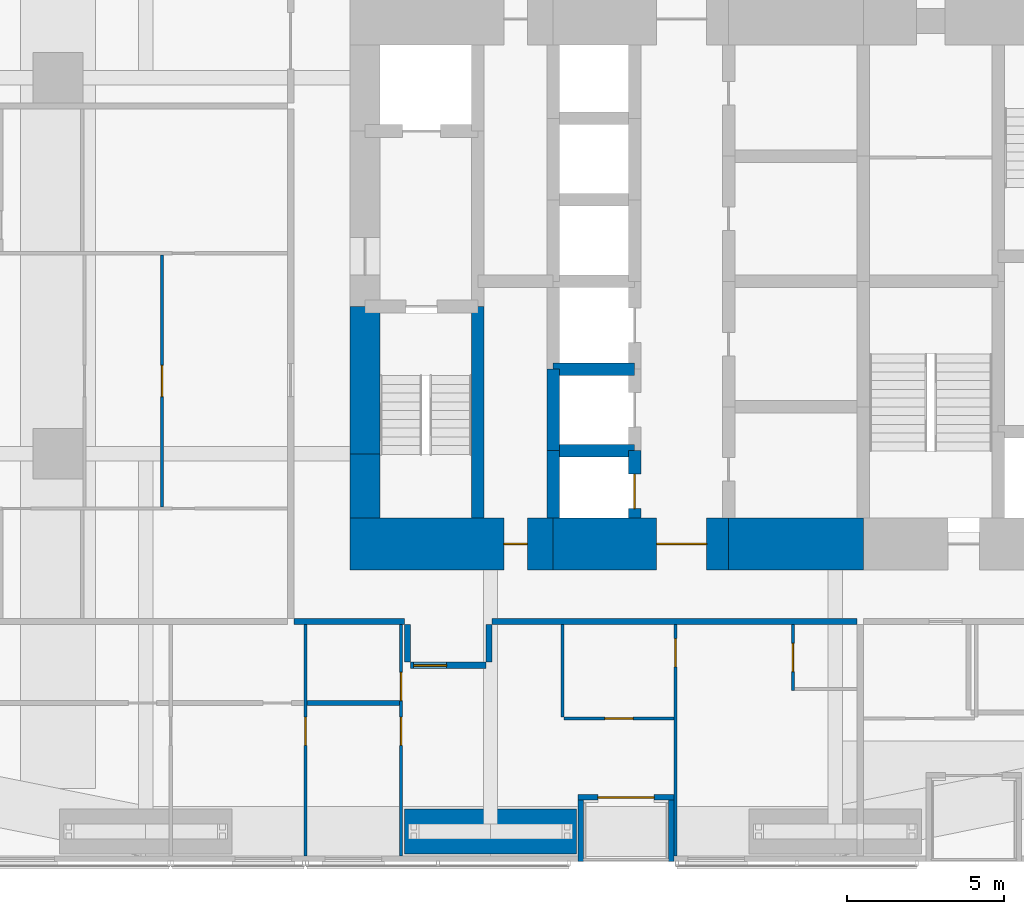
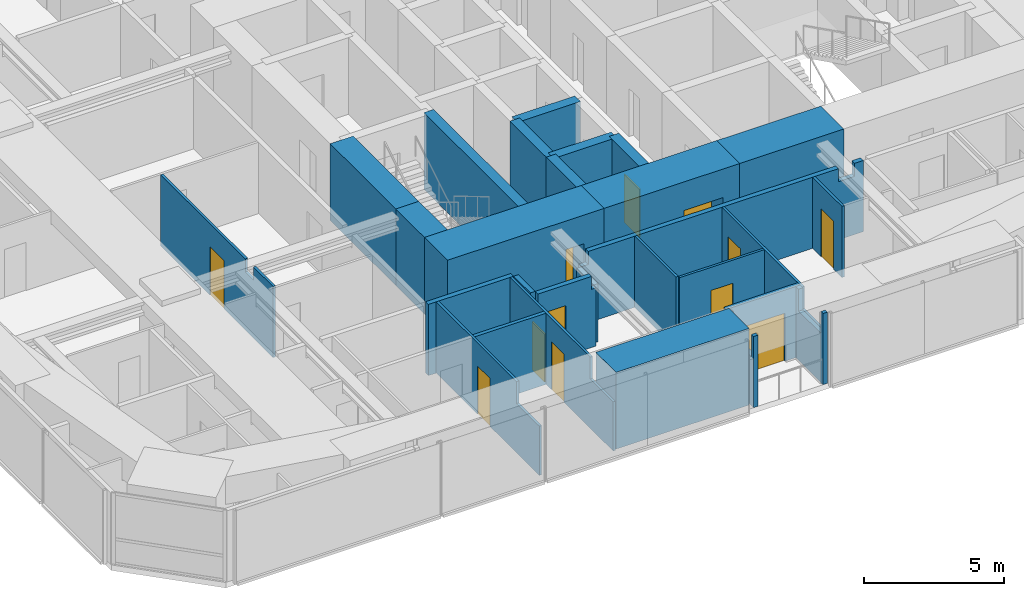
# One storey, part 18 of 24: 28 walls, 12 doors, 12 openings.
"""IFC4 building model written with IfcOpenShell, lengths in metres."""

from ifc_helpers import new_model, si_unit, direction, frame, frame_2d, origin, place, context, subcontext, project, spatial, polyline, rectangle, outline, extrude, material, layer, layer_set, constituent, constituent_set, type_object, element, fill, save


model = new_model("IFC4")

# Units and contexts
model_context = context("Model", 3, precision=1e-05, world=origin(), true_north=direction((0.0, 1.0)))
body_context = subcontext(model_context, "Body", "Model", "MODEL_VIEW")
ifc_project = project(units=[si_unit("LENGTHUNIT", "METRE"), si_unit("AREAUNIT", "SQUARE_METRE"), si_unit("VOLUMEUNIT", "CUBIC_METRE"), si_unit("PLANEANGLEUNIT", "RADIAN"), si_unit("MASSUNIT", "GRAM", prefix="KILO")], contexts=[model_context])

# Site, building, storey
site_placement = place(None, origin())
site = spatial("IfcSite", under=ifc_project, at=site_placement, CompositionType="ELEMENT")
building_placement = place(site_placement, origin())
building = spatial("IfcBuilding", under=site, at=building_placement, Name="Jalousie Tower", CompositionType="ELEMENT")
storey_placement = place(building_placement, frame((0.0, 0.0, 54.5)))
storey = spatial("IfcBuildingStorey", under=building, at=storey_placement, Name="L14", CompositionType="ELEMENT", Elevation=54.5)

# Wall
ifc_material_1 = material(Name="Concrete block ASTM C90", Category="concrete")
ifc_constituent_1 = constituent(ifc_material_1, Name="Body")
ifc_material_2 = material(Name="Render")
ifc_constituent_2 = constituent(ifc_material_2, Name="Finish")
ifc_constituent_set_1 = constituent_set(constituents=[ifc_constituent_1, ifc_constituent_2])
wall_type_1 = type_object("IfcWallType", Name="BATHROOM WALL 150", PredefinedType="PLUMBINGWALL", material=ifc_constituent_set_1)
wall_1_placement = place(storey_placement, frame((18.14990234375, 5.050048828125, 0.0), z_axis=(0.0, 0.0, 1.0), x_axis=(1.0, 0.0, 0.0)))
element("IfcWall", 1, at=wall_1_placement, inside=storey, type_object=wall_type_1, Name="Bathroom Wall 150 L14", PredefinedType="PLUMBINGWALL", context=body_context, shape_type="SweptSolid", body=[
    extrude(rectangle(XDim=2.9501953125, YDim=0.14990234375, at=frame_2d((1.47509765625, 0.0))), origin(), (0.0, 0.0, 1.0), 3.110107421875),
])

# Wall, opening, door
ifc_material_3 = material(Name="Concrete f'c 120 MPa", Category="concrete")
ifc_layer_1 = layer(ifc_material_3, 1.64990234375)
ifc_layer_set_1 = layer_set([ifc_layer_1], Name="Concrete f'c 120 MPa")
wall_type_2 = type_object("IfcWallType", Name="CORE WALL 1650", PredefinedType="SHEAR", material=ifc_layer_set_1)
wall_2_placement = place(storey_placement, frame((19.52490234375, 10.125, 0.0), z_axis=(0.0, 0.0, 1.0), x_axis=(1.0, 0.0, 0.0)))
wall_2 = element("IfcWall", 2, at=wall_2_placement, inside=storey, type_object=wall_type_2, Name="Core wall SA L14", PredefinedType="SHEAR", context=body_context, shape_type="SweptSolid", body=[
    extrude(rectangle(XDim=6.47509765625, YDim=1.64990234375, at=frame_2d((3.237548828125, 0.0))), origin(), (0.0, 0.0, 1.0), 3.35009765625),
])
opening_1_placement = place(wall_2_placement, frame((4.89990234375, 0.0, 0.0)))
opening_1 = element("IfcOpeningElement", 3, at=opening_1_placement, cuts=wall_2, Name="Opening D16", PredefinedType="OPENING", context=body_context, shape_type="SweptSolid", body=[
    extrude(rectangle(XDim=0.75, YDim=2.10009765625, at=frame_2d((0.375, 1.050048828125))), frame((0.0, 0.8349609375, 0.0), z_axis=(0.0, -1.0, 0.0), x_axis=(1.0, 0.0, 0.0)), (0.0, 0.0, 1.0), 1.669921875),
])
ifc_material_4 = material(Name="Steel fire door", Category="steel")
door_type_1 = type_object("IfcDoorType", Name="RISER DOOR 750", OperationType="SINGLE_SWING_LEFT", PredefinedType="DOOR", material=ifc_material_4)
door_1_placement = place(opening_1_placement, origin())
door_1 = element("IfcDoor", 4, at=door_1_placement, inside=storey, type_object=door_type_1, Name="South riser door", OperationType="SINGLE_SWING_LEFT", OverallHeight=2.10009765625, OverallWidth=0.75, PredefinedType="DOOR", context=body_context, shape_type="SweptSolid", body=[
    extrude(rectangle(XDim=0.75, YDim=2.10009765625, at=frame_2d((0.375, 1.050048828125))), frame((0.0, 0.02490234375, 0.0), z_axis=(0.0, -1.0, 0.0), x_axis=(1.0, 0.0, 0.0)), (0.0, 0.0, 1.0), 0.050048828125),
])
fill(opening_1, door_1)

wall_3_placement = place(storey_placement, frame((26.0, 10.125, 0.0), z_axis=(0.0, 0.0, 1.0), x_axis=(1.0, 0.0, 0.0)))
wall_3 = element("IfcWall", 5, at=wall_3_placement, inside=storey, type_object=wall_type_2, Name="Core wall SB L14", PredefinedType="SHEAR", context=body_context, shape_type="SweptSolid", body=[
    extrude(rectangle(XDim=5.60009765625, YDim=1.64990234375, at=frame_2d((2.800048828125, 0.0))), origin(), (0.0, 0.0, 1.0), 3.35009765625),
])
opening_2_placement = place(wall_3_placement, frame((3.300048828125, 0.0, 0.0)))
opening_2 = element("IfcOpeningElement", 6, at=opening_2_placement, cuts=wall_3, Name="Opening D15", PredefinedType="OPENING", context=body_context, shape_type="SweptSolid", body=[
    extrude(rectangle(XDim=1.60009765625, YDim=2.10009765625, at=frame_2d((0.800048828125, 1.050048828125))), frame((0.0, 0.8349609375, 0.0), z_axis=(0.0, -1.0, 0.0), x_axis=(1.0, 0.0, 0.0)), (0.0, 0.0, 1.0), 1.669921875),
])
ifc_material_5 = material(Name="Steel fire door", Category="steel")
door_type_2 = type_object("IfcDoorType", Name="LIFT LOBBY DOOR 1600", OperationType="DOUBLE_DOOR_SINGLE_SWING", PredefinedType="DOOR", material=ifc_material_5)
door_2_placement = place(opening_2_placement, origin())
door_2 = element("IfcDoor", 7, at=door_2_placement, inside=storey, type_object=door_type_2, Name="Lift lobby south door", OperationType="DOUBLE_DOOR_SINGLE_SWING", OverallHeight=2.10009765625, OverallWidth=1.60009765625, PredefinedType="DOOR", context=body_context, shape_type="SweptSolid", body=[
    extrude(rectangle(XDim=1.60009765625, YDim=2.10009765625, at=frame_2d((0.800048828125, 1.050048828125))), frame((0.0, 0.02490234375, 0.0), z_axis=(0.0, -1.0, 0.0), x_axis=(1.0, 0.0, 0.0)), (0.0, 0.0, 1.0), 0.050048828125),
])
fill(opening_2, door_2)

# Walls
wall_4_placement = place(storey_placement, frame((31.60009765625, 10.125, 0.0), z_axis=(0.0, 0.0, 1.0), x_axis=(1.0, 0.0, 0.0)))
element("IfcWall", 8, at=wall_4_placement, inside=storey, type_object=wall_type_2, Name="Core wall SC L14", PredefinedType="SHEAR", context=body_context, shape_type="SweptSolid", body=[
    extrude(rectangle(XDim=4.2998046875, YDim=1.64990234375, at=frame_2d((2.14990234375, 0.0))), origin(), (0.0, 0.0, 1.0), 3.35009765625),
])
ifc_material_6 = material(Name="Concrete f'c 120 MPa", Category="concrete")
ifc_layer_2 = layer(ifc_material_6, 0.39990234375)
ifc_layer_set_2 = layer_set([ifc_layer_2], Name="Concrete f'c 120 MPa")
wall_type_3 = type_object("IfcWallType", Name="CORE WALL 400", PredefinedType="SHEAR", material=ifc_layer_set_2)
wall_5_placement = place(storey_placement, frame((23.60009765625, 10.949951171875, 0.0), z_axis=(0.0, 0.0, 1.0), x_axis=(0.0, 1.0, 0.0)))
element("IfcWall", 9, at=wall_5_placement, inside=storey, type_object=wall_type_3, Name="Core wall X23.6A L14", PredefinedType="SHEAR", context=body_context, shape_type="SweptSolid", body=[
    extrude(rectangle(XDim=6.75, YDim=0.39990234375, at=frame_2d((3.375, 0.0))), origin(), (0.0, 0.0, 1.0), 3.35009765625),
])
wall_6_placement = place(storey_placement, frame((26.0, 10.949951171875, 0.0), z_axis=(0.0, 0.0, 1.0), x_axis=(0.0, 1.0, 0.0)))
element("IfcWall", 10, at=wall_6_placement, inside=storey, type_object=wall_type_3, Name="Core wall X26A L14", PredefinedType="SHEAR", context=body_context, shape_type="SweptSolid", body=[
    extrude(rectangle(XDim=2.150146484375, YDim=0.39990234375, at=frame_2d((1.0751953125, 0.0))), origin(), (0.0, 0.0, 1.0), 3.35009765625),
])
wall_7_placement = place(storey_placement, frame((26.0, 13.10009765625, 0.0), z_axis=(0.0, 0.0, 1.0), x_axis=(0.0, 1.0, 0.0)))
element("IfcWall", 11, at=wall_7_placement, inside=storey, type_object=wall_type_3, Name="Core wall X26B L14", PredefinedType="SHEAR", context=body_context, shape_type="SweptSolid", body=[
    extrude(rectangle(XDim=2.599853515625, YDim=0.39990234375, at=frame_2d((1.2998046875, 0.0))), origin(), (0.0, 0.0, 1.0), 3.35009765625),
])

# Wall, opening, door
wall_8_placement = place(storey_placement, frame((28.60009765625, 10.949951171875, 0.0), z_axis=(0.0, 0.0, 1.0), x_axis=(0.0, 1.0, 0.0)))
wall_8 = element("IfcWall", 12, at=wall_8_placement, inside=storey, type_object=wall_type_3, Name="Core wall X28.6A L14", PredefinedType="SHEAR", context=body_context, shape_type="SweptSolid", body=[
    extrude(rectangle(XDim=2.150146484375, YDim=0.39990234375, at=frame_2d((1.0751953125, 0.0))), origin(), (0.0, 0.0, 1.0), 3.35009765625),
])
opening_3_placement = place(wall_8_placement, frame((0.300048828125, 0.0, 0.0)))
opening_3 = element("IfcOpeningElement", 13, at=opening_3_placement, cuts=wall_8, Name="Opening LD1", PredefinedType="OPENING", context=body_context, shape_type="SweptSolid", body=[
    extrude(rectangle(XDim=1.10009765625, YDim=2.10009765625, at=frame_2d((0.550048828125, 1.050048828125))), frame((0.0, 0.2099609375, 0.0), z_axis=(0.0, -1.0, 0.0), x_axis=(1.0, 0.0, 0.0)), (0.0, 0.0, 1.0), 0.419921875),
])
ifc_material_7 = material(Name="Steel lift landing door", Category="steel")
door_type_3 = type_object("IfcDoorType", Name="LIFT LANDING DOOR 1100", OperationType="SLIDING_TO_LEFT", PredefinedType="DOOR", material=ifc_material_7)
door_3_placement = place(opening_3_placement, origin())
door_3 = element("IfcDoor", 14, at=door_3_placement, inside=storey, type_object=door_type_3, Name="Lift P1 landing door", OperationType="SLIDING_TO_LEFT", OverallHeight=2.10009765625, OverallWidth=1.10009765625, PredefinedType="DOOR", context=body_context, shape_type="SweptSolid", body=[
    extrude(rectangle(XDim=1.10009765625, YDim=2.10009765625, at=frame_2d((0.550048828125, 1.050048828125))), frame((0.0, 0.02490234375, 0.0), z_axis=(0.0, -1.0, 0.0), x_axis=(1.0, 0.0, 0.0)), (0.0, 0.0, 1.0), 0.050048828125),
])
fill(opening_3, door_3)

# Walls
for number, where, z_axis, x_axis, name in (
    (15, (26.0, 13.10009765625, 0.0), (0.0, 0.0, 1.0), (1.0, 0.0, 0.0), "Core wall Y26-13.1 L14"),
    (16, (26.0, 15.699951171875, 0.0), (0.0, 0.0, 1.0), (1.0, 0.0, 0.0), "Core wall Y26-15.7 L14"),
):
    element("IfcWall", number, at=place(storey_placement, frame(where, z_axis=z_axis, x_axis=x_axis)), inside=storey, type_object=wall_type_3, Name=name, PredefinedType="SHEAR", context=body_context, shape_type="SweptSolid", body=[
        extrude(rectangle(XDim=2.60009765625, YDim=0.39990234375, at=frame_2d((1.300048828125, 0.0))), origin(), (0.0, 0.0, 1.0), 3.35009765625),
    ])
ifc_material_8 = material(Name="Concrete f'c 120 MPa", Category="concrete")
ifc_layer_3 = layer(ifc_material_8, 0.949951171875)
ifc_layer_set_3 = layer_set([ifc_layer_3], Name="Concrete f'c 120 MPa")
wall_type_4 = type_object("IfcWallType", Name="CORE WALL 950", PredefinedType="SHEAR", material=ifc_layer_set_3)
wall_9_placement = place(storey_placement, frame((20.0, 17.699951171875, 0.0), z_axis=(0.0, 0.0, 1.0), x_axis=(0.0, -1.0, 0.0)))
element("IfcWall", 17, at=wall_9_placement, inside=storey, type_object=wall_type_4, Name="Core wall WC L14", PredefinedType="SHEAR", context=body_context, shape_type="SweptSolid", body=[
    extrude(rectangle(XDim=4.699951171875, YDim=0.949951171875, at=frame_2d((2.35009765625, 0.0))), origin(), (0.0, 0.0, 1.0), 3.35009765625),
])
wall_10_placement = place(storey_placement, frame((20.0, 13.0, 0.0), z_axis=(0.0, 0.0, 1.0), x_axis=(0.0, -1.0, 0.0)))
element("IfcWall", 18, at=wall_10_placement, inside=storey, type_object=wall_type_4, Name="Core wall WD L14", PredefinedType="SHEAR", context=body_context, shape_type="SweptSolid", body=[
    extrude(rectangle(XDim=2.050048828125, YDim=0.949951171875, at=frame_2d((1.02490234375, 0.0))), origin(), (0.0, 0.0, 1.0), 3.35009765625),
])
ifc_material_9 = material(Name="Concrete block ASTM C90", Category="concrete")
ifc_constituent_3 = constituent(ifc_material_9, Name="Body")
ifc_material_10 = material(Name="Render")
ifc_constituent_4 = constituent(ifc_material_10, Name="Finish")
ifc_constituent_set_2 = constituent_set(constituents=[ifc_constituent_3, ifc_constituent_4])
wall_type_5 = type_object("IfcWallType", Name="CORRIDOR WALL 200", PredefinedType="PARTITIONING", material=ifc_constituent_set_2)
wall_11_placement = place(storey_placement, frame((17.72509765625, 7.64990234375, 0.0), z_axis=(0.0, 0.0, 1.0), x_axis=(1.0, 0.0, 0.0)))
element("IfcWall", 19, at=wall_11_placement, inside=storey, type_object=wall_type_5, Name="Corridor Wall 200 L14", PredefinedType="PARTITIONING", context=body_context, shape_type="SweptSolid", body=[
    extrude(rectangle(XDim=3.52490234375, YDim=0.199951171875, at=frame_2d((1.762451171875, 0.0))), origin(), (0.0, 0.0, 1.0), 3.110107421875),
])
wall_12_placement = place(storey_placement, frame((24.050048828125, 7.64990234375, 0.0), z_axis=(0.0, 0.0, 1.0), x_axis=(1.0, 0.0, 0.0)))
element("IfcWall", 20, at=wall_12_placement, inside=storey, type_object=wall_type_5, Name="Corridor Wall 200 L14", PredefinedType="PARTITIONING", context=body_context, shape_type="SweptSolid", body=[
    extrude(outline(polyline([(0.0, 0.0), (11.64990234375, 0.0), (11.64990234375, 3.110107421875), (11.287353515625, 3.110107421875), (11.287353515625, 2.541015625), (10.612548828125, 2.541015625), (10.612548828125, 3.110107421875), (0.287353515625, 3.110107421875), (0.287353515625, 2.541015625), (0.0, 2.541015625), (0.0, 3.110107421875), (0.0, 0.0)])), frame((0.0, 0.10009765625, 0.0), z_axis=(0.0, -1.0, 0.0), x_axis=(1.0, 0.0, 0.0)), (0.0, 0.0, 1.0), 0.199951171875),
])

# Wall, opening, door
wall_13_placement = place(storey_placement, frame((21.449951171875, 6.25, 0.0), z_axis=(0.0, 0.0, 1.0), x_axis=(1.0, 0.0, 0.0)))
wall_13 = element("IfcWall", 21, at=wall_13_placement, inside=storey, type_object=wall_type_5, Name="Corridor Wall 200 L14", PredefinedType="PARTITIONING", context=body_context, shape_type="SweptSolid", body=[
    extrude(outline(polyline([(0.0, 0.0), (2.400146484375, 0.0), (2.39990234375, 3.110107421875), (2.39990234375, 2.541015625), (2.212646484375, 2.541015625), (2.212646484375, 3.110107421875), (0.0, 3.110107421875), (0.0, 0.0)])), frame((0.0, 0.10009765625, 0.0), z_axis=(0.0, -1.0, 0.0), x_axis=(1.0, 0.0, 0.0)), (0.0, 0.0, 1.0), 0.199951171875),
])
opening_4_placement = place(wall_13_placement, frame((0.10009765625, 0.0, 0.0)))
opening_4 = element("IfcOpeningElement", 22, at=opening_4_placement, cuts=wall_13, Name="Opening D1", PredefinedType="OPENING", context=body_context, shape_type="SweptSolid", body=[
    extrude(rectangle(XDim=1.050048828125, YDim=2.199951171875, at=frame_2d((0.52490234375, 1.10009765625))), frame((0.0, 0.10986328125, 0.0), z_axis=(0.0, -1.0, 0.0), x_axis=(1.0, 0.0, 0.0)), (0.0, 0.0, 1.0), 0.219970703125),
])
ifc_material_11 = material(Name="Timber fire door", Category="wood")
door_type_4 = type_object("IfcDoorType", Name="APARTMENT ENTRANCE DOOR 1050", OperationType="SINGLE_SWING_LEFT", PredefinedType="DOOR", material=ifc_material_11)
door_4_placement = place(opening_4_placement, frame((1.050048828125, 0.0, 0.0), z_axis=(0.0, 0.0, 1.0), x_axis=(-1.0, 0.0, 0.0)))
door_4 = element("IfcDoor", 23, at=door_4_placement, inside=storey, type_object=door_type_4, Name="Apartment 1401 entrance", OperationType="SINGLE_SWING_RIGHT", OverallHeight=2.199951171875, OverallWidth=1.050048828125, PredefinedType="DOOR", context=body_context, shape_type="SweptSolid", body=[
    extrude(rectangle(XDim=1.050048828125, YDim=2.199951171875, at=frame_2d((0.52490234375, 1.10009765625))), frame((0.0, 0.02490234375, 0.0), z_axis=(0.0, -1.0, 0.0), x_axis=(1.0, 0.0, 0.0)), (0.0, 0.0, 1.0), 0.050048828125),
])
fill(opening_4, door_4)

# Walls
wall_14_placement = place(storey_placement, frame((21.35009765625, 7.550048828125, 0.0), z_axis=(0.0, 0.0, 1.0), x_axis=(0.0, -1.0, 0.0)))
element("IfcWall", 24, at=wall_14_placement, inside=storey, type_object=wall_type_5, Name="Corridor Wall 200 L14", PredefinedType="PARTITIONING", context=body_context, shape_type="SweptSolid", body=[
    extrude(rectangle(XDim=1.199951171875, YDim=0.199951171875, at=frame_2d((0.60009765625, 0.0))), origin(), (0.0, 0.0, 1.0), 3.110107421875),
])
wall_15_placement = place(storey_placement, frame((23.949951171875, 7.550048828125, 0.0), z_axis=(0.0, 0.0, 1.0), x_axis=(0.0, -1.0, 0.0)))
element("IfcWall", 25, at=wall_15_placement, inside=storey, type_object=wall_type_5, Name="Corridor Wall 200 L14", PredefinedType="PARTITIONING", context=body_context, shape_type="SweptSolid", body=[
    extrude(outline(polyline([(0.0, 0.0), (1.199951171875, 0.0), (1.199951171875, 3.110107421875), (1.199951171875, 2.541015625), (0.0, 2.541015625), (0.0, 3.110107421875), (0.0, 0.0)])), frame((0.0, 0.10009765625, 0.0), z_axis=(0.0, -1.0, 0.0), x_axis=(1.0, 0.0, 0.0)), (0.0, 0.0, 1.0), 0.199951171875),
])

# Wall, opening, door
ifc_material_12 = material(Name="Concrete f'c 40 MPa", Category="concrete")
ifc_constituent_5 = constituent(ifc_material_12, Name="Body")
ifc_material_13 = material(Name="Render, pastel coral")
ifc_constituent_6 = constituent(ifc_material_13, Name="Finish")
ifc_constituent_set_3 = constituent_set(constituents=[ifc_constituent_5, ifc_constituent_6])
wall_type_6 = type_object("IfcWallType", Name="EXTERNAL WALL 175 CORAL RENDER", PredefinedType="SOLIDWALL", material=ifc_constituent_set_3)
wall_16_placement = place(storey_placement, frame((26.800048828125, 2.03759765625, 0.0), z_axis=(0.0, 0.0, 1.0), x_axis=(1.0, 0.0, 0.0)))
wall_16 = element("IfcWall", 26, at=wall_16_placement, inside=storey, type_object=wall_type_6, Name="External Wall 175 Coral Render L14", PredefinedType="SOLIDWALL", context=body_context, shape_type="SweptSolid", body=[
    extrude(rectangle(XDim=3.050048828125, YDim=0.175048828125, at=frame_2d((1.52490234375, 0.0))), origin(), (0.0, 0.0, 1.0), 3.110107421875),
])
opening_5_placement = place(wall_16_placement, frame((0.625, 0.0, 0.0)))
opening_5 = element("IfcOpeningElement", 27, at=opening_5_placement, cuts=wall_16, Name="Opening D-BAL21", PredefinedType="OPENING", context=body_context, shape_type="SweptSolid", body=[
    extrude(rectangle(XDim=1.800048828125, YDim=2.10009765625, at=frame_2d((0.89990234375, 1.050048828125))), frame((0.0, 0.097412109375, 0.0), z_axis=(0.0, -1.0, 0.0), x_axis=(1.0, 0.0, 0.0)), (0.0, 0.0, 1.0), 0.195068359375),
])
ifc_material_14 = material(Name="Aluminium frame, impact-rated glazing", Category="aluminium")
door_type_5 = type_object("IfcDoorType", Name="BALCONY DOOR 1800x2100", OperationType="SLIDING_TO_LEFT", PredefinedType="DOOR", material=ifc_material_14)
door_5_placement = place(opening_5_placement, origin())
door_5 = element("IfcDoor", 28, at=door_5_placement, inside=storey, type_object=door_type_5, Name="Apartment 1401 living and dining room loggia door", OperationType="SLIDING_TO_LEFT", OverallHeight=2.10009765625, OverallWidth=1.800048828125, PredefinedType="DOOR", context=body_context, shape_type="SweptSolid", body=[
    extrude(rectangle(XDim=1.800048828125, YDim=2.10009765625, at=frame_2d((0.89990234375, 1.050048828125))), frame((0.0, 0.02490234375, 0.0), z_axis=(0.0, -1.0, 0.0), x_axis=(1.0, 0.0, 0.0)), (0.0, 0.0, 1.0), 0.050048828125),
])
fill(opening_5, door_5)

# Walls
for number, where, z_axis, x_axis, name in (
    (29, (26.887451171875, 0.0, 0.0), (0.0, 0.0, 1.0), (0.0, 1.0, 0.0), "External Wall 175 Coral Render L14"),
    (30, (29.762451171875, 0.0, 0.0), (0.0, 0.0, 1.0), (0.0, 1.0, 0.0), "External Wall 175 Coral Render L14"),
):
    element("IfcWall", number, at=place(storey_placement, frame(where, z_axis=z_axis, x_axis=x_axis)), inside=storey, type_object=wall_type_6, Name=name, PredefinedType="SOLIDWALL", context=body_context, shape_type="SweptSolid", body=[
        extrude(outline(polyline([(0.0, 0.0), (1.949951171875, 0.0), (1.949951171875, 3.110107421875), (1.75, 3.110107421875), (1.75, 2.14990234375), (0.14990234375, 2.14990234375), (0.14990234375, 3.110107421875), (0.0, 3.110107421875), (0.0, 0.0)])), frame((0.0, 0.08740234375, 0.0), z_axis=(0.0, -1.0, 0.0), x_axis=(1.0, 0.0, 0.0)), (0.0, 0.0, 1.0), 0.175048828125),
    ])

# Wall, opening, door
ifc_material_15 = material(Name="Gypsum board", Category="gypsum")
ifc_constituent_7 = constituent(ifc_material_15, Name="Body")
ifc_material_16 = material(Name="Light-gauge steel studs ASTM A653 SS Grade 33", Category="steel")
ifc_constituent_8 = constituent(ifc_material_16, Name="Framing")
ifc_constituent_set_4 = constituent_set(constituents=[ifc_constituent_7, ifc_constituent_8])
wall_type_7 = type_object("IfcWallType", Name="PARTITION 100", PredefinedType="PARTITIONING", material=ifc_constituent_set_4)
wall_17_placement = place(storey_placement, frame((18.10009765625, 0.175048828125, 0.0), z_axis=(0.0, 0.0, 1.0), x_axis=(0.0, 1.0, 0.0)))
wall_17 = element("IfcWall", 31, at=wall_17_placement, inside=storey, type_object=wall_type_7, Name="Partition 100 L14", PredefinedType="PARTITIONING", context=body_context, shape_type="SweptSolid", body=[
    extrude(outline(polyline([(0.0, 0.0), (7.375, 0.0), (7.375, 3.110107421875), (1.635009765625, 3.110107421875), (1.635009765625, 2.14990234375), (0.0, 2.14990234375), (0.0, 3.110107421875), (0.0, 0.0)])), frame((0.0, 0.050048828125, 0.0), z_axis=(0.0, -1.0, 0.0), x_axis=(1.0, 0.0, 0.0)), (0.0, 0.0, 1.0), 0.10009765625),
])
opening_6_placement = place(wall_17_placement, frame((3.52490234375, 0.0, 0.0)))
opening_6 = element("IfcOpeningElement", 32, at=opening_6_placement, cuts=wall_17, Name="Opening D2", PredefinedType="OPENING", context=body_context, shape_type="SweptSolid", body=[
    extrude(rectangle(XDim=0.89990234375, YDim=2.10009765625, at=frame_2d((0.449951171875, 1.050048828125))), frame((0.0, 0.06005859375, 0.0), z_axis=(0.0, -1.0, 0.0), x_axis=(1.0, 0.0, 0.0)), (0.0, 0.0, 1.0), 0.1201171875),
])
ifc_material_17 = material(Name="Timber door", Category="wood")
door_type_6 = type_object("IfcDoorType", Name="BEDROOM DOOR 900", OperationType="SINGLE_SWING_LEFT", PredefinedType="DOOR", material=ifc_material_17)
door_6_placement = place(opening_6_placement, origin())
door_6 = element("IfcDoor", 33, at=door_6_placement, inside=storey, type_object=door_type_6, Name="Apartment 1401 bedroom 3 door", OperationType="SINGLE_SWING_RIGHT", OverallHeight=2.10009765625, OverallWidth=0.89990234375, PredefinedType="DOOR", context=body_context, shape_type="SweptSolid", body=[
    extrude(rectangle(XDim=0.89990234375, YDim=2.10009765625, at=frame_2d((0.449951171875, 1.050048828125))), frame((0.0, 0.02490234375, 0.0), z_axis=(0.0, -1.0, 0.0), x_axis=(1.0, 0.0, 0.0)), (0.0, 0.0, 1.0), 0.050048828125),
])
fill(opening_6, door_6)

# Wall, openings, doors
wall_18_placement = place(storey_placement, frame((21.14990234375, 0.175048828125, 0.0), z_axis=(0.0, 0.0, 1.0), x_axis=(0.0, 1.0, 0.0)))
wall_18 = element("IfcWall", 34, at=wall_18_placement, inside=storey, type_object=wall_type_7, Name="Partition 100 L14", PredefinedType="PARTITIONING", context=body_context, shape_type="SweptSolid", body=[
    extrude(outline(polyline([(0.0, 0.0), (7.375, 0.0), (7.375, 3.110107421875), (1.635009765625, 3.110107421875), (1.635009765625, 2.14990234375), (0.0, 2.14990234375), (0.0, 3.110107421875), (0.0, 0.0)])), frame((0.0, 0.050048828125, 0.0), z_axis=(0.0, -1.0, 0.0), x_axis=(1.0, 0.0, 0.0)), (0.0, 0.0, 1.0), 0.10009765625),
])
opening_7_placement = place(wall_18_placement, frame((3.52490234375, 0.0, 0.0)))
opening_7 = element("IfcOpeningElement", 35, at=opening_7_placement, cuts=wall_18, Name="Opening D2", PredefinedType="OPENING", context=body_context, shape_type="SweptSolid", body=[
    extrude(rectangle(XDim=0.89990234375, YDim=2.10009765625, at=frame_2d((0.449951171875, 1.050048828125))), frame((0.0, 0.06005859375, 0.0), z_axis=(0.0, -1.0, 0.0), x_axis=(1.0, 0.0, 0.0)), (0.0, 0.0, 1.0), 0.1201171875),
])
opening_8_placement = place(wall_18_placement, frame((4.949951171875, 0.0, 0.0)))
opening_8 = element("IfcOpeningElement", 36, at=opening_8_placement, cuts=wall_18, Name="Opening D7", PredefinedType="OPENING", context=body_context, shape_type="SweptSolid", body=[
    extrude(rectangle(XDim=0.89990234375, YDim=2.10009765625, at=frame_2d((0.449951171875, 1.050048828125))), frame((0.0, 0.06005859375, 0.0), z_axis=(0.0, -1.0, 0.0), x_axis=(1.0, 0.0, 0.0)), (0.0, 0.0, 1.0), 0.1201171875),
])
door_7_placement = place(opening_7_placement, origin())
door_7 = element("IfcDoor", 37, at=door_7_placement, inside=storey, type_object=door_type_6, Name="Apartment 1401 bedroom 4 door", OperationType="SINGLE_SWING_RIGHT", OverallHeight=2.10009765625, OverallWidth=0.89990234375, PredefinedType="DOOR", context=body_context, shape_type="SweptSolid", body=[
    extrude(rectangle(XDim=0.89990234375, YDim=2.10009765625, at=frame_2d((0.449951171875, 1.050048828125))), frame((0.0, 0.02490234375, 0.0), z_axis=(0.0, -1.0, 0.0), x_axis=(1.0, 0.0, 0.0)), (0.0, 0.0, 1.0), 0.050048828125),
])
fill(opening_7, door_7)
ifc_material_18 = material(Name="Timber door", Category="wood")
door_type_7 = type_object("IfcDoorType", Name="INTERNAL DOOR 900", OperationType="SINGLE_SWING_LEFT", PredefinedType="DOOR", material=ifc_material_18)
door_8_placement = place(opening_8_placement, origin())
door_8 = element("IfcDoor", 38, at=door_8_placement, inside=storey, type_object=door_type_7, Name="Apartment 1401 bathroom door", OperationType="SINGLE_SWING_LEFT", OverallHeight=2.10009765625, OverallWidth=0.89990234375, PredefinedType="DOOR", context=body_context, shape_type="SweptSolid", body=[
    extrude(rectangle(XDim=0.89990234375, YDim=2.10009765625, at=frame_2d((0.449951171875, 1.050048828125))), frame((0.0, 0.02490234375, 0.0), z_axis=(0.0, -1.0, 0.0), x_axis=(1.0, 0.0, 0.0)), (0.0, 0.0, 1.0), 0.050048828125),
])
fill(opening_8, door_8)

# Wall, opening, door
wall_19_placement = place(storey_placement, frame((29.89990234375, 0.175048828125, 0.0), z_axis=(0.0, 0.0, 1.0), x_axis=(0.0, 1.0, 0.0)))
wall_19 = element("IfcWall", 39, at=wall_19_placement, inside=storey, type_object=wall_type_7, Name="Partition 100 L14", PredefinedType="PARTITIONING", context=body_context, shape_type="SweptSolid", body=[
    extrude(outline(polyline([(0.0, 0.0), (7.375, 0.0), (7.375, 3.110107421875), (1.635009765625, 3.110107421875), (1.635009765625, 2.14990234375), (0.0, 2.14990234375), (0.0, 3.110107421875), (0.0, 0.0)])), frame((0.0, 0.050048828125, 0.0), z_axis=(0.0, -1.0, 0.0), x_axis=(1.0, 0.0, 0.0)), (0.0, 0.0, 1.0), 0.10009765625),
])
opening_9_placement = place(wall_19_placement, frame((6.02490234375, 0.0, 0.0)))
opening_9 = element("IfcOpeningElement", 40, at=opening_9_placement, cuts=wall_19, Name="Opening D2", PredefinedType="OPENING", context=body_context, shape_type="SweptSolid", body=[
    extrude(rectangle(XDim=0.89990234375, YDim=2.10009765625, at=frame_2d((0.449951171875, 1.050048828125))), frame((0.0, 0.06005859375, 0.0), z_axis=(0.0, -1.0, 0.0), x_axis=(1.0, 0.0, 0.0)), (0.0, 0.0, 1.0), 0.1201171875),
])
door_9_placement = place(opening_9_placement, frame((0.89990234375, 0.0, 0.0), z_axis=(0.0, 0.0, 1.0), x_axis=(-1.0, 0.0, 0.0)))
door_9 = element("IfcDoor", 41, at=door_9_placement, inside=storey, type_object=door_type_6, Name="Apartment 1401 study door", OperationType="SINGLE_SWING_LEFT", OverallHeight=2.10009765625, OverallWidth=0.89990234375, PredefinedType="DOOR", context=body_context, shape_type="SweptSolid", body=[
    extrude(rectangle(XDim=0.89990234375, YDim=2.10009765625, at=frame_2d((0.449951171875, 1.050048828125))), frame((0.0, 0.02490234375, 0.0), z_axis=(0.0, -1.0, 0.0), x_axis=(1.0, 0.0, 0.0)), (0.0, 0.0, 1.0), 0.050048828125),
])
fill(opening_9, door_9)

wall_20_placement = place(storey_placement, frame((26.35009765625, 4.550048828125, 0.0), z_axis=(0.0, 0.0, 1.0), x_axis=(1.0, 0.0, 0.0)))
wall_20 = element("IfcWall", 42, at=wall_20_placement, inside=storey, type_object=wall_type_7, Name="Partition 100 L14", PredefinedType="PARTITIONING", context=body_context, shape_type="SweptSolid", body=[
    extrude(rectangle(XDim=3.5, YDim=0.10009765625, at=frame_2d((1.75, 0.0))), origin(), (0.0, 0.0, 1.0), 3.110107421875),
])
opening_10_placement = place(wall_20_placement, frame((1.300048828125, 0.0, 0.0)))
opening_10 = element("IfcOpeningElement", 43, at=opening_10_placement, cuts=wall_20, Name="Opening D7", PredefinedType="OPENING", context=body_context, shape_type="SweptSolid", body=[
    extrude(rectangle(XDim=0.89990234375, YDim=2.10009765625, at=frame_2d((0.449951171875, 1.050048828125))), frame((0.0, 0.06005859375, 0.0), z_axis=(0.0, -1.0, 0.0), x_axis=(1.0, 0.0, 0.0)), (0.0, 0.0, 1.0), 0.1201171875),
])
door_10_placement = place(opening_10_placement, origin())
door_10 = element("IfcDoor", 44, at=door_10_placement, inside=storey, type_object=door_type_7, Name="Apartment 1401 kitchen door", OperationType="SINGLE_SWING_RIGHT", OverallHeight=2.10009765625, OverallWidth=0.89990234375, PredefinedType="DOOR", context=body_context, shape_type="SweptSolid", body=[
    extrude(rectangle(XDim=0.89990234375, YDim=2.10009765625, at=frame_2d((0.449951171875, 1.050048828125))), frame((0.0, 0.02490234375, 0.0), z_axis=(0.0, -1.0, 0.0), x_axis=(1.0, 0.0, 0.0)), (0.0, 0.0, 1.0), 0.050048828125),
])
fill(opening_10, door_10)

# Wall
wall_21_placement = place(storey_placement, frame((26.300048828125, 4.60009765625, 0.0), z_axis=(0.0, 0.0, 1.0), x_axis=(0.0, 1.0, 0.0)))
element("IfcWall", 45, at=wall_21_placement, inside=storey, type_object=wall_type_7, Name="Partition 100 L14", PredefinedType="PARTITIONING", context=body_context, shape_type="SweptSolid", body=[
    extrude(rectangle(XDim=2.949951171875, YDim=0.10009765625, at=frame_2d((1.47509765625, 0.0))), origin(), (0.0, 0.0, 1.0), 3.110107421875),
])

# Wall, opening, door
wall_22_placement = place(storey_placement, frame((13.52490234375, 11.300048828125, 0.0), z_axis=(0.0, 0.0, 1.0), x_axis=(0.0, 1.0, 0.0)))
wall_22 = element("IfcWall", 46, at=wall_22_placement, inside=storey, type_object=wall_type_7, Name="Partition 100 L14", PredefinedType="PARTITIONING", context=body_context, shape_type="SweptSolid", body=[
    extrude(outline(polyline([(0.0, 0.0), (8.050048828125, 0.0), (8.050048828125, 3.110107421875), (1.9873046875, 3.110107421875), (1.9873046875, 2.541015625), (1.41259765625, 2.541015625), (1.41259765625, 3.110107421875), (0.0, 3.110107421875), (0.0, 0.0)])), frame((0.0, 0.050048828125, 0.0), z_axis=(0.0, -1.0, 0.0), x_axis=(1.0, 0.0, 0.0)), (0.0, 0.0, 1.0), 0.10009765625),
])
opening_11_placement = place(wall_22_placement, frame((3.52490234375, 0.0, 0.0)))
opening_11 = element("IfcOpeningElement", 47, at=opening_11_placement, cuts=wall_22, Name="Opening D6", PredefinedType="OPENING", context=body_context, shape_type="SweptSolid", body=[
    extrude(rectangle(XDim=1.0, YDim=2.10009765625, at=frame_2d((0.5, 1.050048828125))), frame((0.0, 0.06005859375, 0.0), z_axis=(0.0, -1.0, 0.0), x_axis=(1.0, 0.0, 0.0)), (0.0, 0.0, 1.0), 0.1201171875),
])
ifc_material_19 = material(Name="Timber door", Category="wood")
door_type_8 = type_object("IfcDoorType", Name="INTERNAL DOOR 1000", OperationType="SINGLE_SWING_LEFT", PredefinedType="DOOR", material=ifc_material_19)
door_11_placement = place(opening_11_placement, frame((1.0, 0.0, 0.0), z_axis=(0.0, 0.0, 1.0), x_axis=(-1.0, 0.0, 0.0)))
door_11 = element("IfcDoor", 48, at=door_11_placement, inside=storey, type_object=door_type_8, Name="Apartment 1405 living room door", OperationType="SINGLE_SWING_RIGHT", OverallHeight=2.10009765625, OverallWidth=1.0, PredefinedType="DOOR", context=body_context, shape_type="SweptSolid", body=[
    extrude(rectangle(XDim=1.0, YDim=2.10009765625, at=frame_2d((0.5, 1.050048828125))), frame((0.0, 0.02490234375, 0.0), z_axis=(0.0, -1.0, 0.0), x_axis=(1.0, 0.0, 0.0)), (0.0, 0.0, 1.0), 0.050048828125),
])
fill(opening_11, door_11)

wall_23_placement = place(storey_placement, frame((33.64990234375, 7.550048828125, 0.0), z_axis=(0.0, 0.0, 1.0), x_axis=(0.0, -1.0, 0.0)))
wall_23 = element("IfcWall", 49, at=wall_23_placement, inside=storey, type_object=wall_type_7, Name="Partition 100 L14", PredefinedType="PARTITIONING", context=body_context, shape_type="SweptSolid", body=[
    extrude(rectangle(XDim=2.10009765625, YDim=0.10009765625, at=frame_2d((1.050048828125, 0.0))), origin(), (0.0, 0.0, 1.0), 3.110107421875),
])
opening_12_placement = place(wall_23_placement, frame((0.60009765625, 0.0, 0.0)))
opening_12 = element("IfcOpeningElement", 50, at=opening_12_placement, cuts=wall_23, Name="Opening D7", PredefinedType="OPENING", context=body_context, shape_type="SweptSolid", body=[
    extrude(rectangle(XDim=0.89990234375, YDim=2.10009765625, at=frame_2d((0.449951171875, 1.050048828125))), frame((0.0, 0.06005859375, 0.0), z_axis=(0.0, -1.0, 0.0), x_axis=(1.0, 0.0, 0.0)), (0.0, 0.0, 1.0), 0.1201171875),
])
door_12_placement = place(opening_12_placement, frame((0.89990234375, 0.0, 0.0), z_axis=(0.0, 0.0, 1.0), x_axis=(-1.0, 0.0, 0.0)))
door_12 = element("IfcDoor", 51, at=door_12_placement, inside=storey, type_object=door_type_7, Name="Apartment 1401 study store room door", OperationType="SINGLE_SWING_RIGHT", OverallHeight=2.10009765625, OverallWidth=0.89990234375, PredefinedType="DOOR", context=body_context, shape_type="SweptSolid", body=[
    extrude(rectangle(XDim=0.89990234375, YDim=2.10009765625, at=frame_2d((0.449951171875, 1.050048828125))), frame((0.0, 0.02490234375, 0.0), z_axis=(0.0, -1.0, 0.0), x_axis=(1.0, 0.0, 0.0)), (0.0, 0.0, 1.0), 0.050048828125),
])
fill(opening_12, door_12)

# Wall
ifc_material_20 = material(Name="Concrete f'c 120 MPa", Category="concrete")
ifc_layer_4 = layer(ifc_material_20, 1.449951171875)
ifc_layer_set_4 = layer_set([ifc_layer_4], Name="Concrete f'c 120 MPa")
wall_type_8 = type_object("IfcWallType", Name="RC WALL PIER 1450", PredefinedType="SHEAR", material=ifc_layer_set_4)
wall_24_placement = place(storey_placement, frame((21.25, 0.949951171875, 0.0), z_axis=(0.0, 0.0, 1.0), x_axis=(1.0, 0.0, 0.0)))
element("IfcWall", 52, at=wall_24_placement, inside=storey, type_object=wall_type_8, Name="Wall pier 03 L14", PredefinedType="SHEAR", context=body_context, shape_type="SweptSolid", body=[
    extrude(rectangle(XDim=5.5, YDim=1.449951171875, at=frame_2d((2.75, 0.0))), origin(), (0.0, 0.0, 1.0), 3.35009765625),
])

save(model, "model.ifc")
